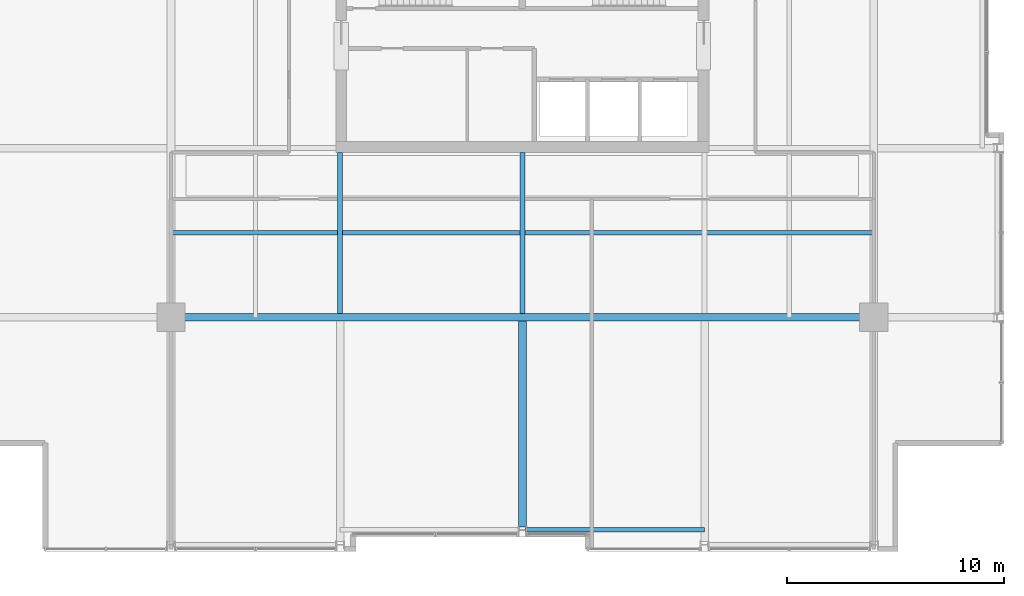
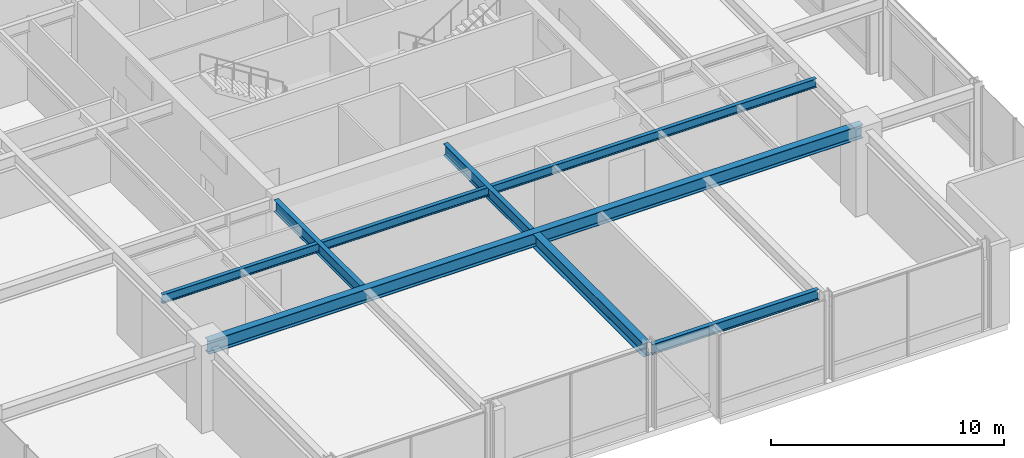
# One storey, part 6 of 32: 6 beams.
"""IFC4 building model written with IfcOpenShell, lengths in metres."""

import ifcopenshell
import ifcopenshell.guid

model = None  # the IFC model being written
_history = None  # IfcOwnerHistory: only IFC2X3 demands one
_inside = {}  # id of a spatial element -> (the spatial element, [elements in it])
_under = {}  # id of a project, library or spatial element -> (it, [spatial elements below it])
_declared = {}  # id of a project -> (the project, [libraries it declares])
_typed = {}  # id of a type object -> (the type object, [elements of that type])
_made_of = {}  # id of a material, layer set ... -> (it, [elements and type objects made of it])


def new_model(schema):
    """Start an empty IFC model of exactly this schema.

    Asked for "IFC4X3", IfcOpenShell would pick the latest addendum, in which some entities
    have other attributes; the version numbers below select the first issue.
    IFC2X3 requires an IfcOwnerHistory on every rooted entity: one is made here for all.
    """
    global model, _history
    if schema == "IFC4X3":
        model = ifcopenshell.file(schema_version=(4, 3, 0, 0))
    else:
        model = ifcopenshell.file(schema=schema)
    _inside.clear()
    _under.clear()
    _declared.clear()
    _typed.clear()
    _made_of.clear()
    _history = None
    if model.schema == "IFC2X3":
        org = make("IfcOrganization", Name="unknown")
        user = make(
            "IfcPersonAndOrganization",
            ThePerson=make("IfcPerson", FamilyName="unknown"),
            TheOrganization=org,
        )
        app = make(
            "IfcApplication",
            ApplicationDeveloper=org,
            Version="unknown",
            ApplicationFullName="unknown",
            ApplicationIdentifier="unknown",
        )
        _history = make(
            "IfcOwnerHistory",
            OwningUser=user,
            OwningApplication=app,
            ChangeAction="ADDED",
            CreationDate=0,
        )
    return model


def make(cls, **values):
    """One entity of the class cls with the attributes given. An attribute that is None is left unset."""
    return model.create_entity(
        cls, **{name: value for name, value in values.items() if value is not None}
    )


def rooted(cls, **values):
    """An entity with a GlobalId (a new one), such as an element, a storey or a relation."""
    return make(cls, GlobalId=ifcopenshell.guid.new(), OwnerHistory=_history, **values)


def si_unit(unit_type, name, prefix=None):
    """IfcSIUnit, for example si_unit("LENGTHUNIT", "METRE", prefix="MILLI")."""
    return make("IfcSIUnit", UnitType=unit_type, Prefix=prefix, Name=name)


def assignment(units):
    """IfcUnitAssignment: the units of a project."""
    return None if units is None else make("IfcUnitAssignment", Units=units)


def point(xyz):
    """IfcCartesianPoint."""
    return None if xyz is None else make("IfcCartesianPoint", Coordinates=xyz)


def direction(xyz):
    """IfcDirection."""
    return None if xyz is None else make("IfcDirection", DirectionRatios=xyz)


def frame(location, z_axis=None, x_axis=None):
    """IfcAxis2Placement3D, a coordinate frame: its origin and axes. An axis left out is left unset."""
    return make(
        "IfcAxis2Placement3D",
        Location=point(location),
        Axis=direction(z_axis),
        RefDirection=direction(x_axis),
    )


def frame_2d(location, x_axis=None):
    """IfcAxis2Placement2D, a coordinate frame in the plane: its origin and x axis."""
    return make(
        "IfcAxis2Placement2D", Location=point(location), RefDirection=direction(x_axis)
    )


def origin():
    """The frame at (0, 0, 0) with its axes left unset."""
    return frame((0.0, 0.0, 0.0))


def origin_2d():
    """The frame at (0, 0) in the plane with its x axis left unset."""
    return frame_2d((0.0, 0.0))


def place(relative_to, where):
    """IfcLocalPlacement: puts the frame where relative to a parent placement (None: the world)."""
    return make(
        "IfcLocalPlacement", PlacementRelTo=relative_to, RelativePlacement=where
    )


def context(
    kind, dimensions, precision=None, world=None, true_north=None, identifier=None
):
    """IfcGeometricRepresentationContext, for example the 3D "Model" context."""
    return make(
        "IfcGeometricRepresentationContext",
        ContextIdentifier=identifier,
        ContextType=kind,
        CoordinateSpaceDimension=dimensions,
        Precision=precision,
        WorldCoordinateSystem=world,
        TrueNorth=true_north,
    )


def subcontext(parent, identifier, kind, view, scale=None):
    """IfcGeometricRepresentationSubContext, for example "Body" below "Model"."""
    return make(
        "IfcGeometricRepresentationSubContext",
        ContextIdentifier=identifier,
        ContextType=kind,
        ParentContext=parent,
        TargetScale=scale,
        TargetView=view,
    )


def project(units=None, contexts=None):
    """IfcProject with its units and contexts."""
    return rooted(
        "IfcProject",
        Name="project",
        RepresentationContexts=contexts,
        UnitsInContext=assignment(units),
    )


def spatial(cls, under=None, at=None, **own):
    """A site, building, storey or space (cls), placed at a placement, below another one or the project."""
    s = rooted(cls, ObjectPlacement=at, **own)
    if under is not None:
        _under.setdefault(under.id(), (under, []))[1].append(s)
    return s


def profile(cls, at=None, kind="AREA", **sizes):
    """A parametric profile (cls). Its sizes go by their IFC names, for example OverallWidth=200.0."""
    return make(cls, ProfileType=kind, Position=at, **sizes)


def i_section(**sizes):
    """IfcIShapeProfileDef."""
    return profile("IfcIShapeProfileDef", **sizes)


def extrude(swept, where, along, depth):
    """IfcExtrudedAreaSolid: the profile swept, set in the frame where, extruded along a direction by depth."""
    return make(
        "IfcExtrudedAreaSolid",
        SweptArea=swept,
        Position=where,
        ExtrudedDirection=direction(along),
        Depth=depth,
    )


def shape(context_of_items, identifier, shape_type, items):
    """IfcShapeRepresentation: the items that make up one representation, for example the "Body"."""
    return make(
        "IfcShapeRepresentation",
        ContextOfItems=context_of_items,
        RepresentationIdentifier=identifier,
        RepresentationType=shape_type,
        Items=items,
    )


def material(Name=None, Category=None):
    """IfcMaterial."""
    return make("IfcMaterial", Name=Name, Category=Category)


def material_profile(
    of_material, cross_section, Name=None, Category=None, Priority=None
):
    """IfcMaterialProfile: a cross section and its material."""
    return make(
        "IfcMaterialProfile",
        Name=Name,
        Material=of_material,
        Profile=cross_section,
        Priority=Priority,
        Category=Category,
    )


def profile_set(profiles, Name=None, composite=None):
    """IfcMaterialProfileSet."""
    return make(
        "IfcMaterialProfileSet",
        Name=Name,
        MaterialProfiles=profiles,
        CompositeProfile=composite,
    )


def made_of(thing, what):
    """Note that an element or type object is made of a material, layer set ...; save() writes the relation."""
    if what is not None:
        _made_of.setdefault(what.id(), (what, []))[1].append(thing)
    return thing


def type_object(cls, material=None, **own):
    """A type object (cls), such as IfcWallType, which elements share."""
    return made_of(rooted(cls, **own), material)


def element(
    cls,
    number,
    at=None,
    inside=None,
    cuts=None,
    type_object=None,
    material=None,
    context=None,
    identifier="Body",
    shape_type=None,
    held_by="IfcProductDefinitionShape",
    body=None,
    shapes=None,
    **own,
):
    """One element of the class cls, such as IfcWall. Its Tag is "e" and its number.

    at: its placement. inside: the storey or other place that contains it. cuts: it is an
    opening in that element (IfcRelVoidsElement). A single representation is given by context,
    identifier, shape_type and body (its items); several are given by shapes. held_by: the class
    of the entity that holds the representations. save() writes the other relations.
    """
    e = rooted(cls, Tag="e%d" % number, ObjectPlacement=at, **own)
    if body is not None:
        shapes = [shape(context, identifier, shape_type, body)]
    if shapes is not None:
        e.Representation = make(held_by, Representations=shapes)
    if inside is not None:
        _inside.setdefault(inside.id(), (inside, []))[1].append(e)
    if cuts is not None:
        rooted(
            "IfcRelVoidsElement", RelatingBuildingElement=cuts, RelatedOpeningElement=e
        )
    if type_object is not None:
        _typed.setdefault(type_object.id(), (type_object, []))[1].append(e)
    return made_of(e, material)


def aggregate(whole, parts):
    """IfcRelAggregates: a whole, such as a stair, and the parts it consists of."""
    return rooted("IfcRelAggregates", RelatingObject=whole, RelatedObjects=parts)


def save(model, path):
    """Write the relations noted so far, then the file.

    IfcRelAggregates (storeys below a building ...), IfcRelContainedInSpatialStructure (elements
    in a storey), IfcRelDefinesByType, IfcRelAssociatesMaterial and IfcRelDeclares: one each for
    every whole, place, type object, material and project.
    """
    for whole, parts in _under.values():
        aggregate(whole, parts)
    for where, things in _inside.values():
        rooted(
            "IfcRelContainedInSpatialStructure",
            RelatedElements=things,
            RelatingStructure=where,
        )
    for kind, things in _typed.values():
        rooted("IfcRelDefinesByType", RelatedObjects=things, RelatingType=kind)
    for what, things in _made_of.values():
        rooted("IfcRelAssociatesMaterial", RelatedObjects=things, RelatingMaterial=what)
    for by, libraries in _declared.values():
        rooted("IfcRelDeclares", RelatingContext=by, RelatedDefinitions=libraries)
    model.write(path)


model = new_model("IFC4")

# Units and contexts
model_context = context("Model", 3, precision=1e-05, world=origin(), true_north=direction((0.0, 1.0)))
body_context = subcontext(model_context, "Body", "Model", "MODEL_VIEW")
ifc_project = project(units=[si_unit("LENGTHUNIT", "METRE"), si_unit("AREAUNIT", "SQUARE_METRE"), si_unit("VOLUMEUNIT", "CUBIC_METRE"), si_unit("PLANEANGLEUNIT", "RADIAN"), si_unit("MASSUNIT", "GRAM", prefix="KILO")], contexts=[model_context])

# Site, building, storey
site_placement = place(None, origin())
site = spatial("IfcSite", under=ifc_project, at=site_placement, CompositionType="ELEMENT")
building_placement = place(site_placement, origin())
building = spatial("IfcBuilding", under=site, at=building_placement, Name="Drelvath Grand Hotel", CompositionType="ELEMENT")
storey_placement = place(building_placement, frame((0.0, 0.0, 145.800048828125)))
storey = spatial("IfcBuildingStorey", under=building, at=storey_placement, Name="L37", CompositionType="ELEMENT", Elevation=145.800048828125)

# Beams
ifc_material = material(Name="Steel ASTM A992 Gr 50", Category="steel")
ifc_material_profile_1 = material_profile(ifc_material, i_section(OverallWidth=0.19140625, OverallDepth=0.4599609375, WebThickness=0.010009765625, FlangeThickness=0.01611328125, FilletRadius=0.01611328125, at=origin_2d()), Name="W18X55")
ifc_profile_set_1 = profile_set([ifc_material_profile_1], Name="Steel ASTM A992 Gr 50")
beam_type_1 = type_object("IfcBeamType", Name="Composite Floor Joist W18X55", PredefinedType="JOIST", material=ifc_profile_set_1)
beam_1_placement = place(storey_placement, frame((-16.199951171875, 14.699951171875, 4.10986328125), z_axis=(1.0, 0.0, 0.0), x_axis=(0.0, 1.0, 0.0)))
element("IfcBeam", 1, at=beam_1_placement, inside=storey, type_object=beam_type_1, Name="L37 Floor Joist J1", PredefinedType="JOIST", context=body_context, shape_type="SweptSolid", body=[
    extrude(i_section(OverallWidth=0.19140625, OverallDepth=0.4599609375, WebThickness=0.010009765625, FlangeThickness=0.01611328125, FilletRadius=0.01611328125, at=origin_2d()), origin(), (0.0, 0.0, 1.0), 32.39990234375),
])
ifc_material_profile_2 = material_profile(ifc_material, i_section(OverallWidth=0.210205078125, OverallDepth=0.53662109375, WebThickness=0.010986328125, FlangeThickness=0.017333984375, FilletRadius=0.01806640625, at=origin_2d()), Name="W21X68")
ifc_profile_set_2 = profile_set([ifc_material_profile_2], Name="Steel ASTM A992 Gr 50")
beam_type_2 = type_object("IfcBeamType", Name="Perimeter Spandrel Beam W21X68", PredefinedType="SPANDREL", material=ifc_profile_set_2)
beam_2_placement = place(storey_placement, frame((0.139892578125, 1.0, 4.071533203125), z_axis=(1.0, 0.0, 0.0), x_axis=(0.0, 1.0, 0.0)))
element("IfcBeam", 2, at=beam_2_placement, inside=storey, type_object=beam_type_2, Name="L37 Spandrel South Mid E", PredefinedType="SPANDREL", context=body_context, shape_type="SweptSolid", body=[
    extrude(i_section(OverallWidth=0.210205078125, OverallDepth=0.53662109375, WebThickness=0.010986328125, FlangeThickness=0.017333984375, FilletRadius=0.01806640625, at=origin_2d()), origin(), (0.0, 0.0, 1.0), 8.260009765625),
])
ifc_material_profile_3 = material_profile(ifc_material, i_section(OverallWidth=0.228271484375, OverallDepth=0.607666015625, WebThickness=0.01123046875, FlangeThickness=0.017333984375, FilletRadius=0.02001953125, at=origin_2d()), Name="W24X76")
ifc_profile_set_3 = profile_set([ifc_material_profile_3], Name="Steel ASTM A992 Gr 50")
beam_type_3 = type_object("IfcBeamType", Name="Primary Floor Girder W24X76", PredefinedType="BEAM", material=ifc_profile_set_3)
for number, where, z_axis, x_axis, name in (
    (3, (-8.39990234375, 10.977294921875, 4.0361328125), (0.0, 1.0, 0.0), (-1.0, 0.0, 0.0), "L37 South Core Tie 4"),
    (4, (0.0, 10.977294921875, 4.0361328125), (0.0, 1.0, 0.0), (-1.0, 0.0, 0.0), "L37 South Core Tie 5"),
):
    element("IfcBeam", number, at=place(storey_placement, frame(where, z_axis=z_axis, x_axis=x_axis)), inside=storey, type_object=beam_type_3, Name=name, PredefinedType="BEAM", context=body_context, shape_type="SweptSolid", body=[
        extrude(i_section(OverallWidth=0.228271484375, OverallDepth=0.607666015625, WebThickness=0.01123046875, FlangeThickness=0.017333984375, FilletRadius=0.02001953125, at=origin_2d()), origin(), (0.0, 0.0, 1.0), 7.422607421875),
    ])
ifc_material_profile_4 = material_profile(ifc_material, i_section(OverallWidth=0.354736328125, OverallDepth=0.695556640625, WebThickness=0.015380859375, FlangeThickness=0.025146484375, FilletRadius=0.02392578125, at=origin_2d()), Name="W27X146")
ifc_profile_set_4 = profile_set([ifc_material_profile_4], Name="Steel ASTM A992 Gr 50")
beam_type_4 = type_object("IfcBeamType", Name="Primary Floor Girder W27X146", PredefinedType="BEAM", material=ifc_profile_set_4)
beam_3_placement = place(storey_placement, frame((-16.199951171875, 10.800048828125, 3.9921875), z_axis=(1.0, 0.0, 0.0), x_axis=(0.0, 1.0, 0.0)))
element("IfcBeam", 5, at=beam_3_placement, inside=storey, type_object=beam_type_4, Name="L37 Mega Ring Girder South", PredefinedType="BEAM", context=body_context, shape_type="SweptSolid", body=[
    extrude(i_section(OverallWidth=0.354736328125, OverallDepth=0.695556640625, WebThickness=0.015380859375, FlangeThickness=0.025146484375, FilletRadius=0.02392578125, at=origin_2d()), origin(), (0.0, 0.0, 1.0), 32.39990234375),
])
beam_4_placement = place(storey_placement, frame((0.0, 1.139892578125, 3.9921875), z_axis=(0.0, 1.0, 0.0), x_axis=(-1.0, 0.0, 0.0)))
element("IfcBeam", 6, at=beam_4_placement, inside=storey, type_object=beam_type_4, Name="L37 South Wing Girder 5", PredefinedType="BEAM", context=body_context, shape_type="SweptSolid", body=[
    extrude(i_section(OverallWidth=0.354736328125, OverallDepth=0.695556640625, WebThickness=0.015380859375, FlangeThickness=0.025146484375, FilletRadius=0.02392578125, at=origin_2d()), origin(), (0.0, 0.0, 1.0), 9.482666015625),
])

save(model, "model.ifc")
